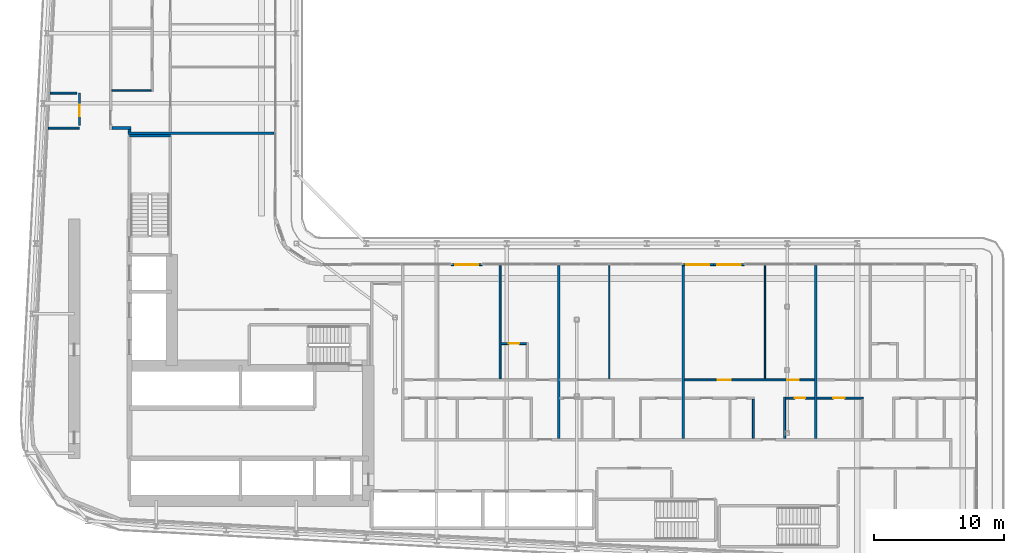
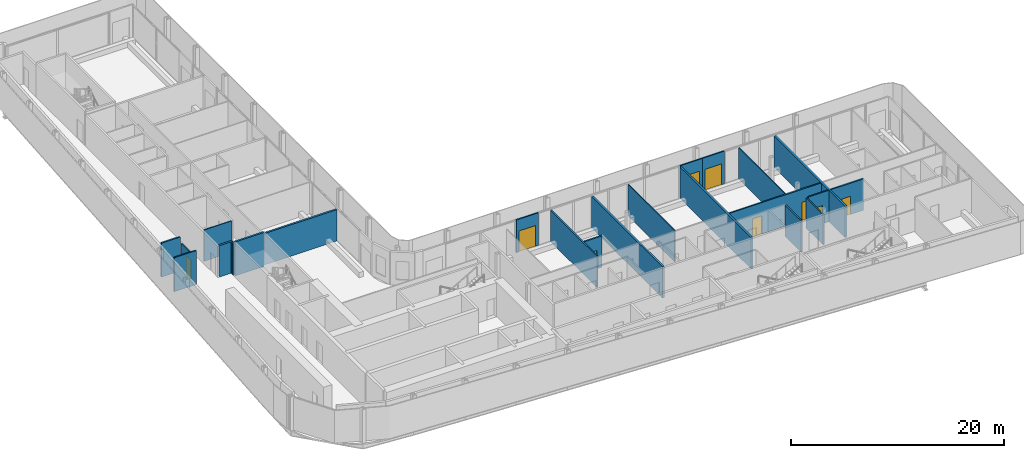
# One storey, part 15 of 26: 23 walls, 9 doors, 9 openings.
"""IFC4 building model written with IfcOpenShell, lengths in metres."""

from ifc_helpers import new_model, si_unit, direction, frame, frame_2d, origin, place, context, subcontext, project, spatial, rectangle, extrude, source, transform, mapped, material, layer, layer_set, type_object, element, fill, save


model = new_model("IFC4")

# Units and contexts
model_context = context("Model", 3, precision=1e-05, world=origin(), true_north=direction((0.0, 1.0)))
body_context = subcontext(model_context, "Body", "Model", "MODEL_VIEW")
ifc_project = project(units=[si_unit("LENGTHUNIT", "METRE"), si_unit("AREAUNIT", "SQUARE_METRE"), si_unit("VOLUMEUNIT", "CUBIC_METRE"), si_unit("PLANEANGLEUNIT", "RADIAN"), si_unit("MASSUNIT", "GRAM", prefix="KILO")], contexts=[model_context])

# Site, building, storey
site_placement = place(None, origin())
site = spatial("IfcSite", under=ifc_project, at=site_placement, CompositionType="ELEMENT")
building_placement = place(site_placement, origin())
building = spatial("IfcBuilding", under=site, at=building_placement, Name="Kheshtan School and Residences Tower", CompositionType="ELEMENT")
storey_placement = place(building_placement, frame((0.0, 0.0, 105.800048828125)))
storey = spatial("IfcBuildingStorey", under=building, at=storey_placement, Name="L24", CompositionType="ELEMENT", Elevation=105.800048828125)

# Walls
ifc_material_1 = material(Name="Gypsum board on steel studs with fire boards", Category="steel")
ifc_layer_1 = layer(ifc_material_1, 0.199951171875)
ifc_layer_set_1 = layer_set([ifc_layer_1], Name="Corridor wall 200")
wall_type_1 = type_object("IfcWallType", Name="Corridor wall 200", PredefinedType="PARTITIONING", material=ifc_layer_set_1)
wall_1_placement = place(storey_placement, frame((33.39990234375, 54.5, 0.0), z_axis=(0.0, 0.0, 1.0), x_axis=(1.0, 0.0, 0.0)))
element("IfcWall", 1, at=wall_1_placement, inside=storey, type_object=wall_type_1, Name="Partition L24-005", PredefinedType="PARTITIONING", context=body_context, shape_type="SweptSolid", body=[
    extrude(rectangle(XDim=1.4501953125, YDim=0.199951171875, at=frame_2d((0.72509765625, 0.0))), origin(), (0.0, 0.0, 1.0), 3.599853515625),
])
wall_2_placement = place(storey_placement, frame((34.75, 54.199951171875, 0.0), z_axis=(0.0, 0.0, 1.0), x_axis=(0.0, 1.0, 0.0)))
element("IfcWall", 2, at=wall_2_placement, inside=storey, type_object=wall_type_1, Name="Partition L24-015", PredefinedType="PARTITIONING", context=body_context, shape_type="SweptSolid", body=[
    extrude(rectangle(XDim=0.199951171875, YDim=0.199951171875, at=frame_2d((0.10009765625, 0.0))), origin(), (0.0, 0.0, 1.0), 3.599853515625),
])

# Wall, opening, door
ifc_material_2 = material(Name="Aluminium frame wall with insulated infill", Category="aluminium")
ifc_layer_2 = layer(ifc_material_2, 0.14990234375)
ifc_layer_set_2 = layer_set([ifc_layer_2], Name="Glazing frame wall 150")
wall_type_2 = type_object("IfcWallType", Name="Glazing frame wall 150", PredefinedType="SOLIDWALL", material=ifc_layer_set_2)
wall_3_placement = place(storey_placement, frame((59.52392578125, 43.97509765625, 0.0), z_axis=(0.0, 0.0, 1.0), x_axis=(1.0, 0.0, 0.0)))
wall_3 = element("IfcWall", 3, at=wall_3_placement, inside=storey, type_object=wall_type_2, Name="Balcony door wall L24 8.2", PredefinedType="SOLIDWALL", context=body_context, shape_type="SweptSolid", body=[
    extrude(rectangle(XDim=2.400146484375, YDim=0.14990234375, at=frame_2d((1.2001953125, 0.0))), origin(), (0.0, 0.0, 1.0), 3.75),
])
opening_1_placement = place(wall_3_placement, frame((0.300048828125, 0.0, 0.0)))
opening_1 = element("IfcOpeningElement", 4, at=opening_1_placement, cuts=wall_3, Name="Opening BD", PredefinedType="OPENING", context=body_context, shape_type="SweptSolid", body=[
    extrude(rectangle(XDim=1.800048828125, YDim=2.39990234375, at=frame_2d((0.89990234375, 1.199951171875))), frame((0.0, 0.0849609375, 0.0), z_axis=(0.0, -1.0, 0.0), x_axis=(1.0, 0.0, 0.0)), (0.0, 0.0, 1.0), 0.169921875),
])
ifc_material_3 = material(Name="Clear low-e glass in thermally broken aluminium frame", Category="aluminium")
door_type_1 = type_object("IfcDoorType", Name="Balcony sliding door", OperationType="SLIDING_TO_LEFT", PredefinedType="DOOR", material=ifc_material_3)
shared_shape_1 = source(origin(), body_context, "Body", "SweptSolid", [
    extrude(rectangle(XDim=1.800048828125, YDim=2.39990234375, at=frame_2d((0.89990234375, 1.199951171875))), frame((0.0, 0.02490234375, 0.0), z_axis=(0.0, -1.0, 0.0), x_axis=(1.0, 0.0, 0.0)), (0.0, 0.0, 1.0), 0.050048828125),
])
door_1_placement = place(opening_1_placement, origin())
door_1 = element("IfcDoor", 5, at=door_1_placement, inside=storey, type_object=door_type_1, Name="Balcony door L24 8.2", OperationType="SLIDING_TO_LEFT", OverallHeight=2.39990234375, OverallWidth=1.800048828125, PredefinedType="DOOR", context=body_context, shape_type="MappedRepresentation", body=[
    mapped(shared_shape_1, transform((0.0, 0.0, 0.0), x_axis=(1.0, 0.0, 0.0), y_axis=(0.0, 1.0, 0.0), z_axis=(0.0, 0.0, 1.0), scale=1.0)),
])
fill(opening_1, door_1)

wall_4_placement = place(storey_placement, frame((77.31201171875, 43.97509765625, 0.0), z_axis=(0.0, 0.0, 1.0), x_axis=(1.0, 0.0, 0.0)))
wall_4 = element("IfcWall", 6, at=wall_4_placement, inside=storey, type_object=wall_type_2, Name="Balcony door wall L24 8.3", PredefinedType="SOLIDWALL", context=body_context, shape_type="SweptSolid", body=[
    extrude(rectangle(XDim=2.39990234375, YDim=0.14990234375, at=frame_2d((1.199951171875, 0.0))), origin(), (0.0, 0.0, 1.0), 3.75),
])
opening_2_placement = place(wall_4_placement, frame((0.300048828125, 0.0, 0.0)))
opening_2 = element("IfcOpeningElement", 7, at=opening_2_placement, cuts=wall_4, Name="Opening BD", PredefinedType="OPENING", context=body_context, shape_type="SweptSolid", body=[
    extrude(rectangle(XDim=1.800048828125, YDim=2.39990234375, at=frame_2d((0.89990234375, 1.199951171875))), frame((0.0, 0.0849609375, 0.0), z_axis=(0.0, -1.0, 0.0), x_axis=(1.0, 0.0, 0.0)), (0.0, 0.0, 1.0), 0.169921875),
])
door_2_placement = place(opening_2_placement, origin())
door_2 = element("IfcDoor", 8, at=door_2_placement, inside=storey, type_object=door_type_1, Name="Balcony door L24 8.3", OperationType="SLIDING_TO_LEFT", OverallHeight=2.39990234375, OverallWidth=1.800048828125, PredefinedType="DOOR", context=body_context, shape_type="MappedRepresentation", body=[
    mapped(shared_shape_1, transform((0.0, 0.0, 0.0), x_axis=(1.0, 0.0, 0.0), y_axis=(0.0, 1.0, 0.0), z_axis=(0.0, 0.0, 1.0), scale=1.0)),
])
fill(opening_2, door_2)

wall_5_placement = place(storey_placement, frame((79.7119140625, 43.97509765625, 0.0), z_axis=(0.0, 0.0, 1.0), x_axis=(1.0, 0.0, 0.0)))
wall_5 = element("IfcWall", 9, at=wall_5_placement, inside=storey, type_object=wall_type_2, Name="Balcony door wall L24 8.4", PredefinedType="SOLIDWALL", context=body_context, shape_type="SweptSolid", body=[
    extrude(rectangle(XDim=2.400146484375, YDim=0.14990234375, at=frame_2d((1.2001953125, 0.0))), origin(), (0.0, 0.0, 1.0), 3.75),
])
opening_3_placement = place(wall_5_placement, frame((0.300048828125, 0.0, 0.0)))
opening_3 = element("IfcOpeningElement", 10, at=opening_3_placement, cuts=wall_5, Name="Opening BD", PredefinedType="OPENING", context=body_context, shape_type="SweptSolid", body=[
    extrude(rectangle(XDim=1.800048828125, YDim=2.39990234375, at=frame_2d((0.89990234375, 1.199951171875))), frame((0.0, 0.0849609375, 0.0), z_axis=(0.0, -1.0, 0.0), x_axis=(1.0, 0.0, 0.0)), (0.0, 0.0, 1.0), 0.169921875),
])
door_3_placement = place(opening_3_placement, origin())
door_3 = element("IfcDoor", 11, at=door_3_placement, inside=storey, type_object=door_type_1, Name="Balcony door L24 8.4", OperationType="SLIDING_TO_LEFT", OverallHeight=2.39990234375, OverallWidth=1.800048828125, PredefinedType="DOOR", context=body_context, shape_type="MappedRepresentation", body=[
    mapped(shared_shape_1, transform((0.0, 0.0, 0.0), x_axis=(1.0, 0.0, 0.0), y_axis=(0.0, 1.0, 0.0), z_axis=(0.0, 0.0, 1.0), scale=1.0)),
])
fill(opening_3, door_3)

# Walls
ifc_material_4 = material(Name="Gypsum board on steel studs", Category="steel")
ifc_layer_3 = layer(ifc_material_4, 0.10009765625)
ifc_layer_set_3 = layer_set([ifc_layer_3], Name="Gypsum partition 100")
wall_type_3 = type_object("IfcWallType", Name="Gypsum partition 100", PredefinedType="PARTITIONING", material=ifc_layer_set_3)
wall_6_placement = place(storey_placement, frame((33.39990234375, 57.39990234375, 0.0), z_axis=(0.0, 0.0, 1.0), x_axis=(1.0, 0.0, 0.0)))
element("IfcWall", 12, at=wall_6_placement, inside=storey, type_object=wall_type_3, Name="Partition L24-006", PredefinedType="PARTITIONING", context=body_context, shape_type="SweptSolid", body=[
    extrude(rectangle(XDim=3.025146484375, YDim=0.10009765625, at=frame_2d((1.5126953125, 0.0))), origin(), (0.0, 0.0, 1.0), 3.599853515625),
])
for number, where, z_axis, x_axis, name in (
    (13, (71.699951171875, 35.175048828125, 0.0), (0.0, 0.0, 1.0), (0.0, 1.0, 0.0), "Partition L24-045"),
    (14, (83.699951171875, 35.175048828125, 0.0), (0.0, 0.0, 1.0), (0.0, 1.0, 0.0), "Partition L24-054"),
):
    element("IfcWall", number, at=place(storey_placement, frame(where, z_axis=z_axis, x_axis=x_axis)), inside=storey, type_object=wall_type_3, Name=name, PredefinedType="PARTITIONING", context=body_context, shape_type="SweptSolid", body=[
        extrude(rectangle(XDim=8.724853515625, YDim=0.10009765625, at=frame_2d((4.3623046875, 0.0))), origin(), (0.0, 0.0, 1.0), 3.599853515625),
    ])
ifc_material_5 = material(Name="Fire-board shaft wall system")
ifc_layer_4 = layer(ifc_material_5, 0.14990234375)
ifc_layer_set_4 = layer_set([ifc_layer_4], Name="Service room wall 150")
wall_type_4 = type_object("IfcWallType", Name="Service room wall 150", PredefinedType="PARTITIONING", material=ifc_layer_set_4)
wall_7_placement = place(storey_placement, frame((28.508056640625, 54.5, 0.0), z_axis=(0.0, 0.0, 1.0), x_axis=(1.0, 0.0, 0.0)))
element("IfcWall", 15, at=wall_7_placement, inside=storey, type_object=wall_type_4, Name="Service room wall", PredefinedType="PARTITIONING", context=body_context, shape_type="SweptSolid", body=[
    extrude(rectangle(XDim=2.391845703125, YDim=0.14990234375, at=frame_2d((1.19580078125, 0.0))), origin(), (0.0, 0.0, 1.0), 3.89990234375),
])

# Wall, opening, door
wall_8_placement = place(storey_placement, frame((30.89990234375, 54.695068359375, 0.0), z_axis=(0.0, 0.0, 1.0), x_axis=(0.0, 1.0, 0.0)))
wall_8 = element("IfcWall", 16, at=wall_8_placement, inside=storey, type_object=wall_type_4, Name="Service room wall", PredefinedType="PARTITIONING", context=body_context, shape_type="SweptSolid", body=[
    extrude(rectangle(XDim=2.48681640625, YDim=0.14990234375, at=frame_2d((1.243408203125, 0.0))), origin(), (0.0, 0.0, 1.0), 3.072021484375),
])
opening_4_placement = place(wall_8_placement, frame((0.696044921875, 0.0, 0.0)))
opening_4 = element("IfcOpeningElement", 17, at=opening_4_placement, cuts=wall_8, Name="Opening SR90", PredefinedType="OPENING", context=body_context, shape_type="SweptSolid", body=[
    extrude(rectangle(XDim=0.89990234375, YDim=2.199951171875, at=frame_2d((0.449951171875, 1.10009765625))), frame((0.0, 0.0849609375, 0.0), z_axis=(0.0, -1.0, 0.0), x_axis=(1.0, 0.0, 0.0)), (0.0, 0.0, 1.0), 0.169921875),
])
ifc_material_6 = material(Name="Steel door leaf, galvanised", Category="steel")
door_type_2 = type_object("IfcDoorType", Name="Service room door 900 steel 90 min", OperationType="SINGLE_SWING_LEFT", PredefinedType="DOOR", material=ifc_material_6)
shared_shape_2 = source(origin(), body_context, "Body", "SweptSolid", [
    extrude(rectangle(XDim=0.89990234375, YDim=2.199951171875, at=frame_2d((0.449951171875, 1.10009765625))), frame((0.0, 0.02490234375, 0.0), z_axis=(0.0, -1.0, 0.0), x_axis=(1.0, 0.0, 0.0)), (0.0, 0.0, 1.0), 0.050048828125),
])
door_4_placement = place(opening_4_placement, origin())
door_4 = element("IfcDoor", 18, at=door_4_placement, inside=storey, type_object=door_type_2, Name="Service room door", OperationType="SINGLE_SWING_LEFT", OverallHeight=2.199951171875, OverallWidth=0.89990234375, PredefinedType="DOOR", context=body_context, shape_type="MappedRepresentation", body=[
    mapped(shared_shape_2, transform((0.0, 0.0, 0.0), x_axis=(1.0, 0.0, 0.0), y_axis=(0.0, 1.0, 0.0), z_axis=(0.0, 0.0, 1.0), scale=1.0)),
])
fill(opening_4, door_4)

# Walls
wall_9_placement = place(storey_placement, frame((28.64990234375, 57.181884765625, 0.0), z_axis=(0.0, 0.0, 1.0), x_axis=(1.0, 0.0, 0.0)))
element("IfcWall", 19, at=wall_9_placement, inside=storey, type_object=wall_type_4, Name="Service room wall", PredefinedType="PARTITIONING", context=body_context, shape_type="SweptSolid", body=[
    extrude(rectangle(XDim=2.05517578125, YDim=0.14990234375, at=frame_2d((1.027587890625, 0.0))), origin(), (0.0, 0.0, 1.0), 3.89990234375),
])
ifc_material_7 = material(Name="Concrete C40/50", Category="concrete")
ifc_layer_5 = layer(ifc_material_7, 0.199951171875)
ifc_layer_set_5 = layer_set([ifc_layer_5], Name="Stair enclosure wall 200 Concrete C40/50")
wall_type_5 = type_object("IfcWallType", Name="Stair enclosure wall 200 Concrete C40/50", PredefinedType="SHEAR", material=ifc_layer_set_5)
wall_10_placement = place(storey_placement, frame((34.75, 53.909912109375, 0.0), z_axis=(0.0, 0.0, 1.0), x_axis=(1.0, 0.0, 0.0)))
element("IfcWall", 20, at=wall_10_placement, inside=storey, type_object=wall_type_5, Name="Stair enclosure wall ST2", PredefinedType="SHEAR", context=body_context, shape_type="SweptSolid", body=[
    extrude(rectangle(XDim=3.14990234375, YDim=0.199951171875, at=frame_2d((1.574951171875, 0.0))), origin(), (0.0, 0.0, 1.0), 3.89990234375),
])
ifc_material_8 = material(Name="Twin gypsum board on steel studs with mineral wool", Category="steel")
ifc_layer_6 = layer(ifc_material_8, 0.199951171875)
ifc_layer_set_6 = layer_set([ifc_layer_6], Name="Unit demising wall 200")
wall_type_6 = type_object("IfcWallType", Name="Unit demising wall 200", PredefinedType="PARTITIONING", material=ifc_layer_set_6)
wall_11_placement = place(storey_placement, frame((34.64990234375, 54.10009765625, 0.0), z_axis=(0.0, 0.0, 1.0), x_axis=(1.0, 0.0, 0.0)))
element("IfcWall", 21, at=wall_11_placement, inside=storey, type_object=wall_type_6, Name="Partition L24-014", PredefinedType="PARTITIONING", context=body_context, shape_type="SweptSolid", body=[
    extrude(rectangle(XDim=11.25, YDim=0.199951171875, at=frame_2d((5.625, 0.0))), origin(), (0.0, 0.0, 1.0), 3.599853515625),
])
for number, where, z_axis, x_axis, name in (
    (22, (67.800048828125, 30.60009765625, 0.0), (0.0, 0.0, 1.0), (0.0, 1.0, 0.0), "Partition L24-041"),
    (23, (77.39990234375, 30.60009765625, 0.0), (0.0, 0.0, 1.0), (0.0, 1.0, 0.0), "Partition L24-049"),
    (24, (87.60009765625, 30.60009765625, 0.0), (0.0, 0.0, 1.0), (0.0, 1.0, 0.0), "Partition L24-057"),
):
    element("IfcWall", number, at=place(storey_placement, frame(where, z_axis=z_axis, x_axis=x_axis)), inside=storey, type_object=wall_type_6, Name=name, PredefinedType="PARTITIONING", context=body_context, shape_type="SweptSolid", body=[
        extrude(rectangle(XDim=13.2998046875, YDim=0.199951171875, at=frame_2d((6.64990234375, 0.0))), origin(), (0.0, 0.0, 1.0), 3.599853515625),
    ])
ifc_material_9 = material(Name="Moisture-resistant gypsum board on steel studs", Category="steel")
ifc_layer_7 = layer(ifc_material_9, 0.14990234375)
ifc_layer_set_7 = layer_set([ifc_layer_7], Name="Wet-room partition 150")
wall_type_7 = type_object("IfcWallType", Name="Wet-room partition 150", PredefinedType="PARTITIONING", material=ifc_layer_set_7)
wall_12_placement = place(storey_placement, frame((63.300048828125, 35.175048828125, 0.0), z_axis=(0.0, 0.0, 1.0), x_axis=(0.0, 1.0, 0.0)))
element("IfcWall", 25, at=wall_12_placement, inside=storey, type_object=wall_type_7, Name="Partition L24-036", PredefinedType="PARTITIONING", context=body_context, shape_type="SweptSolid", body=[
    extrude(rectangle(XDim=8.724853515625, YDim=0.14990234375, at=frame_2d((4.3623046875, 0.0))), origin(), (0.0, 0.0, 1.0), 3.599853515625),
])

# Wall, opening, door
wall_13_placement = place(storey_placement, frame((63.375, 37.89990234375, 0.0), z_axis=(0.0, 0.0, 1.0), x_axis=(1.0, 0.0, 0.0)))
wall_13 = element("IfcWall", 26, at=wall_13_placement, inside=storey, type_object=wall_type_7, Name="Partition L24-037", PredefinedType="PARTITIONING", context=body_context, shape_type="SweptSolid", body=[
    extrude(rectangle(XDim=1.949951171875, YDim=0.14990234375, at=frame_2d((0.97509765625, 0.0))), origin(), (0.0, 0.0, 1.0), 3.599853515625),
])
opening_5_placement = place(wall_13_placement, frame((0.574951171875, 0.0, 0.0)))
opening_5 = element("IfcOpeningElement", 27, at=opening_5_placement, cuts=wall_13, Name="Opening D23-003", PredefinedType="OPENING", context=body_context, shape_type="SweptSolid", body=[
    extrude(rectangle(XDim=0.800048828125, YDim=2.10009765625, at=frame_2d((0.39990234375, 1.050048828125))), frame((0.0, 0.0849609375, 0.0), z_axis=(0.0, -1.0, 0.0), x_axis=(1.0, 0.0, 0.0)), (0.0, 0.0, 1.0), 0.169921875),
])
ifc_material_10 = material(Name="Veneered timber door leaf", Category="wood")
door_type_3 = type_object("IfcDoorType", Name="Door 800 x 2100", OperationType="SINGLE_SWING_LEFT", PredefinedType="DOOR", material=ifc_material_10)
shared_shape_3 = source(origin(), body_context, "Body", "SweptSolid", [
    extrude(rectangle(XDim=0.800048828125, YDim=2.10009765625, at=frame_2d((0.39990234375, 1.050048828125))), frame((0.0, 0.02490234375, 0.0), z_axis=(0.0, -1.0, 0.0), x_axis=(1.0, 0.0, 0.0)), (0.0, 0.0, 1.0), 0.050048828125),
])
door_5_placement = place(opening_5_placement, origin())
door_5 = element("IfcDoor", 28, at=door_5_placement, inside=storey, type_object=door_type_3, Name="Door D23-003", OperationType="SINGLE_SWING_LEFT", OverallHeight=2.10009765625, OverallWidth=0.800048828125, PredefinedType="DOOR", context=body_context, shape_type="MappedRepresentation", body=[
    mapped(shared_shape_3, transform((0.0, 0.0, 0.0), x_axis=(1.0, 0.0, 0.0), y_axis=(0.0, 1.0, 0.0), z_axis=(0.0, 0.0, 1.0), scale=1.0)),
])
fill(opening_5, door_5)

# Wall, openings, doors
wall_14_placement = place(storey_placement, frame((77.5, 35.10009765625, 0.0), z_axis=(0.0, 0.0, 1.0), x_axis=(1.0, 0.0, 0.0)))
wall_14 = element("IfcWall", 29, at=wall_14_placement, inside=storey, type_object=wall_type_7, Name="Partition L24-051", PredefinedType="PARTITIONING", context=body_context, shape_type="SweptSolid", body=[
    extrude(rectangle(XDim=10.0, YDim=0.14990234375, at=frame_2d((5.0, 0.0))), origin(), (0.0, 0.0, 1.0), 3.599853515625),
])
opening_6_placement = place(wall_14_placement, frame((7.89990234375, 0.0, 0.0)))
opening_6 = element("IfcOpeningElement", 30, at=opening_6_placement, cuts=wall_14, Name="Opening D23-017", PredefinedType="OPENING", context=body_context, shape_type="SweptSolid", body=[
    extrude(rectangle(XDim=0.89990234375, YDim=2.10009765625, at=frame_2d((0.449951171875, 1.050048828125))), frame((0.0, 0.0849609375, 0.0), z_axis=(0.0, -1.0, 0.0), x_axis=(1.0, 0.0, 0.0)), (0.0, 0.0, 1.0), 0.169921875),
])
opening_7_placement = place(wall_14_placement, frame((2.550048828125, 0.0, 0.0)))
opening_7 = element("IfcOpeningElement", 31, at=opening_7_placement, cuts=wall_14, Name="Opening D23-020", PredefinedType="OPENING", context=body_context, shape_type="SweptSolid", body=[
    extrude(rectangle(XDim=1.0, YDim=2.10009765625, at=frame_2d((0.5, 1.050048828125))), frame((0.0, 0.0849609375, 0.0), z_axis=(0.0, -1.0, 0.0), x_axis=(1.0, 0.0, 0.0)), (0.0, 0.0, 1.0), 0.169921875),
])
door_type_4 = type_object("IfcDoorType", Name="Door 1000 x 2100", OperationType="SINGLE_SWING_LEFT", PredefinedType="DOOR", material=ifc_material_10)
shared_shape_4 = source(origin(), body_context, "Body", "SweptSolid", [
    extrude(rectangle(XDim=1.0, YDim=2.10009765625, at=frame_2d((0.5, 1.050048828125))), frame((0.0, 0.02490234375, 0.0), z_axis=(0.0, -1.0, 0.0), x_axis=(1.0, 0.0, 0.0)), (0.0, 0.0, 1.0), 0.050048828125),
])
door_6_placement = place(opening_7_placement, origin())
door_6 = element("IfcDoor", 32, at=door_6_placement, inside=storey, type_object=door_type_4, Name="Door D23-020", OperationType="SINGLE_SWING_LEFT", OverallHeight=2.10009765625, OverallWidth=1.0, PredefinedType="DOOR", context=body_context, shape_type="MappedRepresentation", body=[
    mapped(shared_shape_4, transform((0.0, 0.0, 0.0), x_axis=(1.0, 0.0, 0.0), y_axis=(0.0, 1.0, 0.0), z_axis=(0.0, 0.0, 1.0), scale=1.0)),
])
fill(opening_7, door_6)
door_type_5 = type_object("IfcDoorType", Name="Door 900 x 2100", OperationType="SINGLE_SWING_LEFT", PredefinedType="DOOR", material=ifc_material_10)
shared_shape_5 = source(origin(), body_context, "Body", "SweptSolid", [
    extrude(rectangle(XDim=0.89990234375, YDim=2.10009765625, at=frame_2d((0.449951171875, 1.050048828125))), frame((0.0, 0.02490234375, 0.0), z_axis=(0.0, -1.0, 0.0), x_axis=(1.0, 0.0, 0.0)), (0.0, 0.0, 1.0), 0.050048828125),
])
door_7_placement = place(opening_6_placement, origin())
door_7 = element("IfcDoor", 33, at=door_7_placement, inside=storey, type_object=door_type_5, Name="Door D23-017", OperationType="SINGLE_SWING_LEFT", OverallHeight=2.10009765625, OverallWidth=0.89990234375, PredefinedType="DOOR", context=body_context, shape_type="MappedRepresentation", body=[
    mapped(shared_shape_5, transform((0.0, 0.0, 0.0), x_axis=(1.0, 0.0, 0.0), y_axis=(0.0, 1.0, 0.0), z_axis=(0.0, 0.0, 1.0), scale=1.0)),
])
fill(opening_6, door_7)

# Walls
wall_15_placement = place(storey_placement, frame((82.800048828125, 30.60009765625, 0.0), z_axis=(0.0, 0.0, 1.0), x_axis=(0.0, 1.0, 0.0)))
element("IfcWall", 34, at=wall_15_placement, inside=storey, type_object=wall_type_7, Name="Partition L24-053", PredefinedType="PARTITIONING", context=body_context, shape_type="SweptSolid", body=[
    extrude(rectangle(XDim=3.02490234375, YDim=0.14990234375, at=frame_2d((1.512451171875, 0.0))), origin(), (0.0, 0.0, 1.0), 3.599853515625),
])
wall_16_placement = place(storey_placement, frame((85.199951171875, 30.60009765625, 0.0), z_axis=(0.0, 0.0, 1.0), x_axis=(0.0, 1.0, 0.0)))
element("IfcWall", 35, at=wall_16_placement, inside=storey, type_object=wall_type_7, Name="Partition L24-055", PredefinedType="PARTITIONING", context=body_context, shape_type="SweptSolid", body=[
    extrude(rectangle(XDim=3.1748046875, YDim=0.14990234375, at=frame_2d((1.58740234375, 0.0))), origin(), (0.0, 0.0, 1.0), 3.447021484375),
])

# Wall, opening, door
wall_17_placement = place(storey_placement, frame((85.27490234375, 33.699951171875, 0.0), z_axis=(0.0, 0.0, 1.0), x_axis=(1.0, 0.0, 0.0)))
wall_17 = element("IfcWall", 36, at=wall_17_placement, inside=storey, type_object=wall_type_7, Name="Partition L24-056", PredefinedType="PARTITIONING", context=body_context, shape_type="SweptSolid", body=[
    extrude(rectangle(XDim=2.22509765625, YDim=0.14990234375, at=frame_2d((1.112548828125, 0.0))), origin(), (0.0, 0.0, 1.0), 3.599853515625),
])
opening_8_placement = place(wall_17_placement, frame((0.72509765625, 0.0, 0.0)))
opening_8 = element("IfcOpeningElement", 37, at=opening_8_placement, cuts=wall_17, Name="Opening D23-016", PredefinedType="OPENING", context=body_context, shape_type="SweptSolid", body=[
    extrude(rectangle(XDim=0.800048828125, YDim=2.10009765625, at=frame_2d((0.39990234375, 1.050048828125))), frame((0.0, 0.0849609375, 0.0), z_axis=(0.0, -1.0, 0.0), x_axis=(1.0, 0.0, 0.0)), (0.0, 0.0, 1.0), 0.169921875),
])
door_8_placement = place(opening_8_placement, origin())
door_8 = element("IfcDoor", 38, at=door_8_placement, inside=storey, type_object=door_type_3, Name="Door D23-016", OperationType="SINGLE_SWING_RIGHT", OverallHeight=2.10009765625, OverallWidth=0.800048828125, PredefinedType="DOOR", context=body_context, shape_type="MappedRepresentation", body=[
    mapped(shared_shape_3, transform((0.0, 0.0, 0.0), x_axis=(1.0, 0.0, 0.0), y_axis=(0.0, 1.0, 0.0), z_axis=(0.0, 0.0, 1.0), scale=1.0)),
])
fill(opening_8, door_8)

wall_18_placement = place(storey_placement, frame((87.699951171875, 33.699951171875, 0.0), z_axis=(0.0, 0.0, 1.0), x_axis=(1.0, 0.0, 0.0)))
wall_18 = element("IfcWall", 39, at=wall_18_placement, inside=storey, type_object=wall_type_7, Name="Partition L24-058", PredefinedType="PARTITIONING", context=body_context, shape_type="SweptSolid", body=[
    extrude(rectangle(XDim=3.550048828125, YDim=0.14990234375, at=frame_2d((1.77490234375, 0.0))), origin(), (0.0, 0.0, 1.0), 3.599853515625),
])
opening_9_placement = place(wall_18_placement, frame((1.25, 0.0, 0.0)))
opening_9 = element("IfcOpeningElement", 40, at=opening_9_placement, cuts=wall_18, Name="Opening D23-026", PredefinedType="OPENING", context=body_context, shape_type="SweptSolid", body=[
    extrude(rectangle(XDim=0.89990234375, YDim=2.10009765625, at=frame_2d((0.449951171875, 1.050048828125))), frame((0.0, 0.0849609375, 0.0), z_axis=(0.0, -1.0, 0.0), x_axis=(1.0, 0.0, 0.0)), (0.0, 0.0, 1.0), 0.169921875),
])
door_9_placement = place(opening_9_placement, origin())
door_9 = element("IfcDoor", 41, at=door_9_placement, inside=storey, type_object=door_type_5, Name="Door D23-026", OperationType="SINGLE_SWING_LEFT", OverallHeight=2.10009765625, OverallWidth=0.89990234375, PredefinedType="DOOR", context=body_context, shape_type="MappedRepresentation", body=[
    mapped(shared_shape_5, transform((0.0, 0.0, 0.0), x_axis=(1.0, 0.0, 0.0), y_axis=(0.0, 1.0, 0.0), z_axis=(0.0, 0.0, 1.0), scale=1.0)),
])
fill(opening_9, door_9)

save(model, "model.ifc")
